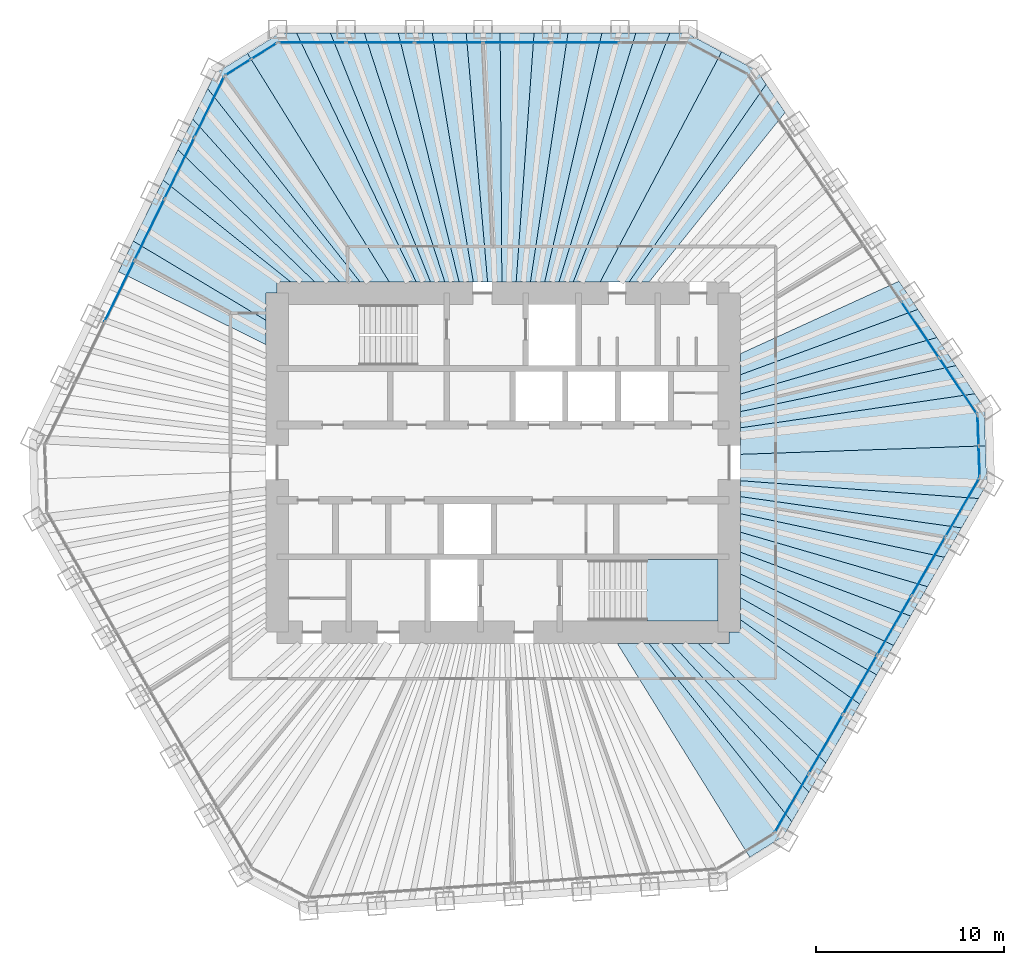
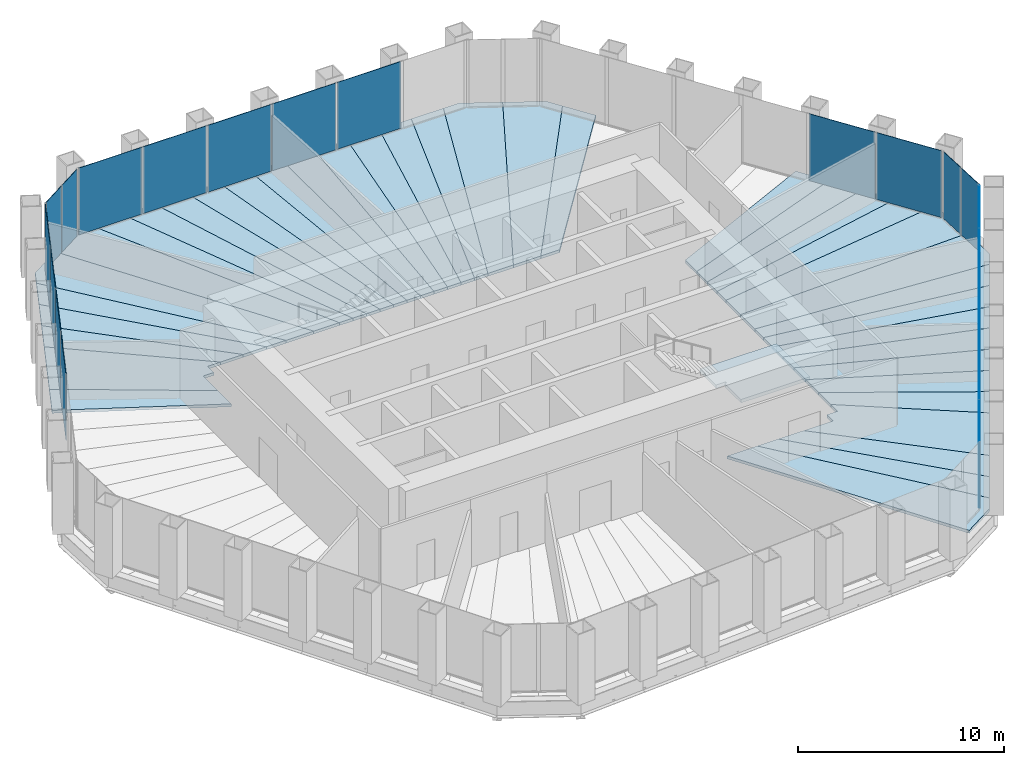
# One storey, part 9 of 13: 39 slabs, 21 plates, 7 elements without a shape of their own.
"""IFC4 building model written with IfcOpenShell, lengths in metres."""

import ifcopenshell
import ifcopenshell.guid

model = None  # the IFC model being written
_history = None  # IfcOwnerHistory: only IFC2X3 demands one
_inside = {}  # id of a spatial element -> (the spatial element, [elements in it])
_under = {}  # id of a project, library or spatial element -> (it, [spatial elements below it])
_declared = {}  # id of a project -> (the project, [libraries it declares])
_typed = {}  # id of a type object -> (the type object, [elements of that type])
_made_of = {}  # id of a material, layer set ... -> (it, [elements and type objects made of it])


def new_model(schema):
    """Start an empty IFC model of exactly this schema.

    Asked for "IFC4X3", IfcOpenShell would pick the latest addendum, in which some entities
    have other attributes; the version numbers below select the first issue.
    IFC2X3 requires an IfcOwnerHistory on every rooted entity: one is made here for all.
    """
    global model, _history
    if schema == "IFC4X3":
        model = ifcopenshell.file(schema_version=(4, 3, 0, 0))
    else:
        model = ifcopenshell.file(schema=schema)
    _inside.clear()
    _under.clear()
    _declared.clear()
    _typed.clear()
    _made_of.clear()
    _history = None
    if model.schema == "IFC2X3":
        org = make("IfcOrganization", Name="unknown")
        user = make(
            "IfcPersonAndOrganization",
            ThePerson=make("IfcPerson", FamilyName="unknown"),
            TheOrganization=org,
        )
        app = make(
            "IfcApplication",
            ApplicationDeveloper=org,
            Version="unknown",
            ApplicationFullName="unknown",
            ApplicationIdentifier="unknown",
        )
        _history = make(
            "IfcOwnerHistory",
            OwningUser=user,
            OwningApplication=app,
            ChangeAction="ADDED",
            CreationDate=0,
        )
    return model


def make(cls, **values):
    """One entity of the class cls with the attributes given. An attribute that is None is left unset."""
    return model.create_entity(
        cls, **{name: value for name, value in values.items() if value is not None}
    )


def rooted(cls, **values):
    """An entity with a GlobalId (a new one), such as an element, a storey or a relation."""
    return make(cls, GlobalId=ifcopenshell.guid.new(), OwnerHistory=_history, **values)


def si_unit(unit_type, name, prefix=None):
    """IfcSIUnit, for example si_unit("LENGTHUNIT", "METRE", prefix="MILLI")."""
    return make("IfcSIUnit", UnitType=unit_type, Prefix=prefix, Name=name)


def assignment(units):
    """IfcUnitAssignment: the units of a project."""
    return None if units is None else make("IfcUnitAssignment", Units=units)


def point(xyz):
    """IfcCartesianPoint."""
    return None if xyz is None else make("IfcCartesianPoint", Coordinates=xyz)


def direction(xyz):
    """IfcDirection."""
    return None if xyz is None else make("IfcDirection", DirectionRatios=xyz)


def frame(location, z_axis=None, x_axis=None):
    """IfcAxis2Placement3D, a coordinate frame: its origin and axes. An axis left out is left unset."""
    return make(
        "IfcAxis2Placement3D",
        Location=point(location),
        Axis=direction(z_axis),
        RefDirection=direction(x_axis),
    )


def frame_2d(location, x_axis=None):
    """IfcAxis2Placement2D, a coordinate frame in the plane: its origin and x axis."""
    return make(
        "IfcAxis2Placement2D", Location=point(location), RefDirection=direction(x_axis)
    )


def origin():
    """The frame at (0, 0, 0) with its axes left unset."""
    return frame((0.0, 0.0, 0.0))


def origin_2d():
    """The frame at (0, 0) in the plane with its x axis left unset."""
    return frame_2d((0.0, 0.0))


def place(relative_to, where):
    """IfcLocalPlacement: puts the frame where relative to a parent placement (None: the world)."""
    return make(
        "IfcLocalPlacement", PlacementRelTo=relative_to, RelativePlacement=where
    )


def context(
    kind, dimensions, precision=None, world=None, true_north=None, identifier=None
):
    """IfcGeometricRepresentationContext, for example the 3D "Model" context."""
    return make(
        "IfcGeometricRepresentationContext",
        ContextIdentifier=identifier,
        ContextType=kind,
        CoordinateSpaceDimension=dimensions,
        Precision=precision,
        WorldCoordinateSystem=world,
        TrueNorth=true_north,
    )


def subcontext(parent, identifier, kind, view, scale=None):
    """IfcGeometricRepresentationSubContext, for example "Body" below "Model"."""
    return make(
        "IfcGeometricRepresentationSubContext",
        ContextIdentifier=identifier,
        ContextType=kind,
        ParentContext=parent,
        TargetScale=scale,
        TargetView=view,
    )


def project(units=None, contexts=None):
    """IfcProject with its units and contexts."""
    return rooted(
        "IfcProject",
        Name="project",
        RepresentationContexts=contexts,
        UnitsInContext=assignment(units),
    )


def spatial(cls, under=None, at=None, **own):
    """A site, building, storey or space (cls), placed at a placement, below another one or the project."""
    s = rooted(cls, ObjectPlacement=at, **own)
    if under is not None:
        _under.setdefault(under.id(), (under, []))[1].append(s)
    return s


def polyline(points):
    """IfcPolyline through the points."""
    return make("IfcPolyline", Points=[point(p) for p in points])


def profile(cls, at=None, kind="AREA", **sizes):
    """A parametric profile (cls). Its sizes go by their IFC names, for example OverallWidth=200.0."""
    return make(cls, ProfileType=kind, Position=at, **sizes)


def rectangle(**sizes):
    """IfcRectangleProfileDef."""
    return profile("IfcRectangleProfileDef", **sizes)


def outline(outer, holes=None, kind="AREA"):
    """IfcArbitraryClosedProfileDef: a profile drawn as a closed curve; with holes, ...WithVoids."""
    if holes is None:
        return make("IfcArbitraryClosedProfileDef", ProfileType=kind, OuterCurve=outer)
    return make(
        "IfcArbitraryProfileDefWithVoids",
        ProfileType=kind,
        OuterCurve=outer,
        InnerCurves=holes,
    )


def extrude(swept, where, along, depth):
    """IfcExtrudedAreaSolid: the profile swept, set in the frame where, extruded along a direction by depth."""
    return make(
        "IfcExtrudedAreaSolid",
        SweptArea=swept,
        Position=where,
        ExtrudedDirection=direction(along),
        Depth=depth,
    )


def shape(context_of_items, identifier, shape_type, items):
    """IfcShapeRepresentation: the items that make up one representation, for example the "Body"."""
    return make(
        "IfcShapeRepresentation",
        ContextOfItems=context_of_items,
        RepresentationIdentifier=identifier,
        RepresentationType=shape_type,
        Items=items,
    )


def material(Name=None, Category=None):
    """IfcMaterial."""
    return make("IfcMaterial", Name=Name, Category=Category)


def layer(
    of_material, thickness, ventilated=None, Name=None, Category=None, Priority=None
):
    """IfcMaterialLayer: one layer of a wall or slab, of a material (None: an air gap)."""
    return make(
        "IfcMaterialLayer",
        Material=of_material,
        LayerThickness=thickness,
        IsVentilated=ventilated,
        Name=Name,
        Category=Category,
        Priority=Priority,
    )


def layer_set(layers, Name=None):
    """IfcMaterialLayerSet."""
    return make("IfcMaterialLayerSet", MaterialLayers=layers, LayerSetName=Name)


def made_of(thing, what):
    """Note that an element or type object is made of a material, layer set ...; save() writes the relation."""
    if what is not None:
        _made_of.setdefault(what.id(), (what, []))[1].append(thing)
    return thing


def type_object(cls, material=None, **own):
    """A type object (cls), such as IfcWallType, which elements share."""
    return made_of(rooted(cls, **own), material)


def element(
    cls,
    number,
    at=None,
    inside=None,
    cuts=None,
    type_object=None,
    material=None,
    context=None,
    identifier="Body",
    shape_type=None,
    held_by="IfcProductDefinitionShape",
    body=None,
    shapes=None,
    **own,
):
    """One element of the class cls, such as IfcWall. Its Tag is "e" and its number.

    at: its placement. inside: the storey or other place that contains it. cuts: it is an
    opening in that element (IfcRelVoidsElement). A single representation is given by context,
    identifier, shape_type and body (its items); several are given by shapes. held_by: the class
    of the entity that holds the representations. save() writes the other relations.
    """
    e = rooted(cls, Tag="e%d" % number, ObjectPlacement=at, **own)
    if body is not None:
        shapes = [shape(context, identifier, shape_type, body)]
    if shapes is not None:
        e.Representation = make(held_by, Representations=shapes)
    if inside is not None:
        _inside.setdefault(inside.id(), (inside, []))[1].append(e)
    if cuts is not None:
        rooted(
            "IfcRelVoidsElement", RelatingBuildingElement=cuts, RelatedOpeningElement=e
        )
    if type_object is not None:
        _typed.setdefault(type_object.id(), (type_object, []))[1].append(e)
    return made_of(e, material)


def aggregate(whole, parts):
    """IfcRelAggregates: a whole, such as a stair, and the parts it consists of."""
    return rooted("IfcRelAggregates", RelatingObject=whole, RelatedObjects=parts)


def save(model, path):
    """Write the relations noted so far, then the file.

    IfcRelAggregates (storeys below a building ...), IfcRelContainedInSpatialStructure (elements
    in a storey), IfcRelDefinesByType, IfcRelAssociatesMaterial and IfcRelDeclares: one each for
    every whole, place, type object, material and project.
    """
    for whole, parts in _under.values():
        aggregate(whole, parts)
    for where, things in _inside.values():
        rooted(
            "IfcRelContainedInSpatialStructure",
            RelatedElements=things,
            RelatingStructure=where,
        )
    for kind, things in _typed.values():
        rooted("IfcRelDefinesByType", RelatedObjects=things, RelatingType=kind)
    for what, things in _made_of.values():
        rooted("IfcRelAssociatesMaterial", RelatedObjects=things, RelatingMaterial=what)
    for by, libraries in _declared.values():
        rooted("IfcRelDeclares", RelatingContext=by, RelatedDefinitions=libraries)
    model.write(path)


model = new_model("IFC4")

# Units and contexts
model_context = context("Model", 3, precision=1e-05, world=origin(), true_north=direction((0.0, 1.0)))
body_context = subcontext(model_context, "Body", "Model", "MODEL_VIEW")
ifc_project = project(units=[si_unit("LENGTHUNIT", "METRE"), si_unit("AREAUNIT", "SQUARE_METRE"), si_unit("VOLUMEUNIT", "CUBIC_METRE"), si_unit("PLANEANGLEUNIT", "RADIAN"), si_unit("MASSUNIT", "GRAM", prefix="KILO")], contexts=[model_context])

# Site, building, storey
site_placement = place(None, origin())
site = spatial("IfcSite", under=ifc_project, at=site_placement, CompositionType="ELEMENT")
building_placement = place(site_placement, origin())
building = spatial("IfcBuilding", under=site, at=building_placement, Name="Qingtian Harvest Tower", CompositionType="ELEMENT")
storey_placement = place(building_placement, frame((0.0, 0.0, 230.800048828125)))
storey = spatial("IfcBuildingStorey", under=building, at=storey_placement, Name="L50", CompositionType="ELEMENT", Elevation=230.800048828125)

# Slabs
ifc_material_1 = material(Name="Concrete fc' 35 MPa", Category="concrete")
ifc_layer_1 = layer(ifc_material_1, 0.169921875)
ifc_layer_set_1 = layer_set([ifc_layer_1], Name="Composite floor slab FS17 170")
slab_type_1 = type_object("IfcSlabType", Name="Composite floor slab FS17 170", PredefinedType="FLOOR", material=ifc_layer_set_1)
slab_1_placement = place(storey_placement, frame((0.0, 0.0, -0.170166015625)))
element("IfcSlab", 1, at=slab_1_placement, inside=storey, type_object=slab_type_1, Name="Floor slab L50 panel D27", PredefinedType="FLOOR", context=body_context, shape_type="SweptSolid", body=[
    extrude(outline(polyline([(6.059326171875, -9.60009765625), (7.740966796875, -9.60009765625), (15.3271484375, -19.0625), (14.886962890625, -19.8251953125), (13.090576171875, -20.94775390625), (6.059326171875, -9.60009765625)])), origin(), (0.0, 0.0, 1.0), 0.170166015625),
])
slab_2_placement = place(storey_placement, frame((0.0, 0.0, -0.170166015625)))
element("IfcSlab", 2, at=slab_2_placement, inside=storey, type_object=slab_type_1, Name="Floor slab L50 panel D28", PredefinedType="FLOOR", context=body_context, shape_type="SweptSolid", body=[
    extrude(outline(polyline([(8.929443359375, -9.60009765625), (16.22802734375, -17.50244140625), (15.3271484375, -19.0625), (7.740966796875, -9.60009765625), (8.929443359375, -9.60009765625)])), origin(), (0.0, 0.0, 1.0), 0.170166015625),
])
slab_3_placement = place(storey_placement, frame((0.0, 0.0, -0.170166015625)))
element("IfcSlab", 3, at=slab_3_placement, inside=storey, type_object=slab_type_1, Name="Floor slab L50 panel D29", PredefinedType="FLOOR", context=body_context, shape_type="SweptSolid", body=[
    extrude(outline(polyline([(10.35205078125, -9.60009765625), (17.128662109375, -15.942138671875), (16.22802734375, -17.50244140625), (8.929443359375, -9.60009765625), (10.35205078125, -9.60009765625)])), origin(), (0.0, 0.0, 1.0), 0.170166015625),
])
slab_4_placement = place(storey_placement, frame((0.0, 0.0, -0.170166015625)))
element("IfcSlab", 4, at=slab_4_placement, inside=storey, type_object=slab_type_1, Name="Floor slab L50 panel D31", PredefinedType="FLOOR", context=body_context, shape_type="SweptSolid", body=[
    extrude(outline(polyline([(12.60009765625, -8.33984375), (18.931884765625, -12.819091796875), (17.128662109375, -15.942138671875), (10.35205078125, -9.60009765625), (12.0, -9.60009765625), (12.0, -9.0), (12.60009765625, -9.0), (12.60009765625, -8.33984375)])), origin(), (0.0, 0.0, 1.0), 0.170166015625),
])
slab_5_placement = place(storey_placement, frame((0.0, 0.0, -0.170166015625)))
element("IfcSlab", 5, at=slab_5_placement, inside=storey, type_object=slab_type_1, Name="Floor slab L50 panel D32", PredefinedType="FLOOR", context=body_context, shape_type="SweptSolid", body=[
    extrude(outline(polyline([(12.60009765625, -7.171142578125), (19.830322265625, -11.262939453125), (18.931884765625, -12.819091796875), (12.60009765625, -8.33984375), (12.60009765625, -7.171142578125)])), origin(), (0.0, 0.0, 1.0), 0.170166015625),
])
slab_6_placement = place(storey_placement, frame((0.0, 0.0, -0.170166015625)))
element("IfcSlab", 6, at=slab_6_placement, inside=storey, type_object=slab_type_1, Name="Floor slab L50 panel D33", PredefinedType="FLOOR", context=body_context, shape_type="SweptSolid", body=[
    extrude(outline(polyline([(12.60009765625, -5.91015625), (20.73095703125, -9.702880859375), (19.830322265625, -11.262939453125), (12.60009765625, -7.171142578125), (12.60009765625, -5.91015625)])), origin(), (0.0, 0.0, 1.0), 0.170166015625),
])
slab_7_placement = place(storey_placement, frame((0.0, 0.0, -0.170166015625)))
element("IfcSlab", 7, at=slab_7_placement, inside=storey, type_object=slab_type_1, Name="Floor slab L50 panel D34", PredefinedType="FLOOR", context=body_context, shape_type="SweptSolid", body=[
    extrude(outline(polyline([(12.60009765625, -4.75439453125), (21.6318359375, -8.142578125), (20.73095703125, -9.702880859375), (12.60009765625, -5.91015625), (12.60009765625, -4.75439453125)])), origin(), (0.0, 0.0, 1.0), 0.170166015625),
])
slab_8_placement = place(storey_placement, frame((0.0, 0.0, -0.170166015625)))
element("IfcSlab", 8, at=slab_8_placement, inside=storey, type_object=slab_type_1, Name="Floor slab L50 panel D35", PredefinedType="FLOOR", context=body_context, shape_type="SweptSolid", body=[
    extrude(outline(polyline([(12.60009765625, -3.691162109375), (22.532470703125, -6.58251953125), (21.6318359375, -8.142578125), (12.60009765625, -4.75439453125), (12.60009765625, -3.691162109375)])), origin(), (0.0, 0.0, 1.0), 0.170166015625),
])
slab_9_placement = place(storey_placement, frame((0.0, 0.0, -0.170166015625)))
element("IfcSlab", 9, at=slab_9_placement, inside=storey, type_object=slab_type_1, Name="Floor slab L50 panel D36", PredefinedType="FLOOR", context=body_context, shape_type="SweptSolid", body=[
    extrude(outline(polyline([(12.60009765625, -2.709716796875), (23.43310546875, -5.022705078125), (22.532470703125, -6.58251953125), (12.60009765625, -3.691162109375), (12.60009765625, -2.709716796875)])), origin(), (0.0, 0.0, 1.0), 0.170166015625),
])
slab_10_placement = place(storey_placement, frame((0.0, 0.0, -0.170166015625)))
element("IfcSlab", 10, at=slab_10_placement, inside=storey, type_object=slab_type_1, Name="Floor slab L50 panel D37", PredefinedType="FLOOR", context=body_context, shape_type="SweptSolid", body=[
    extrude(outline(polyline([(12.60009765625, -1.801025390625), (24.333740234375, -3.462646484375), (23.43310546875, -5.022705078125), (12.60009765625, -2.709716796875), (12.60009765625, -1.801025390625)])), origin(), (0.0, 0.0, 1.0), 0.170166015625),
])
slab_11_placement = place(storey_placement, frame((0.0, 0.0, -0.170166015625)))
element("IfcSlab", 11, at=slab_11_placement, inside=storey, type_object=slab_type_1, Name="Floor slab L50 panel D38", PredefinedType="FLOOR", context=body_context, shape_type="SweptSolid", body=[
    extrude(outline(polyline([(12.60009765625, -0.95703125), (25.234619140625, -1.902587890625), (24.333740234375, -3.462646484375), (12.60009765625, -1.801025390625), (12.60009765625, -0.95703125)])), origin(), (0.0, 0.0, 1.0), 0.170166015625),
])
slab_12_placement = place(storey_placement, frame((0.0, 0.0, -0.170166015625)))
element("IfcSlab", 12, at=slab_12_placement, inside=storey, type_object=slab_type_1, Name="Floor slab L50 panel D39", PredefinedType="FLOOR", context=body_context, shape_type="SweptSolid", body=[
    extrude(outline(polyline([(12.60009765625, -0.95703125), (12.60009765625, 0.442626953125), (25.603759765625, 0.89404296875), (25.6748046875, -1.139892578125), (25.234619140625, -1.902587890625), (12.60009765625, -0.95703125)])), origin(), (0.0, 0.0, 1.0), 0.170166015625),
])
slab_13_placement = place(storey_placement, frame((0.0, 0.0, -0.170166015625)))
element("IfcSlab", 13, at=slab_13_placement, inside=storey, type_object=slab_type_1, Name="Floor slab L50 panel D40", PredefinedType="FLOOR", context=body_context, shape_type="SweptSolid", body=[
    extrude(outline(polyline([(12.60009765625, 0.442626953125), (12.60009765625, 1.848876953125), (25.040283203125, 3.658203125), (25.53271484375, 2.92822265625), (25.603759765625, 0.89404296875), (12.60009765625, 0.442626953125)])), origin(), (0.0, 0.0, 1.0), 0.170166015625),
])
slab_14_placement = place(storey_placement, frame((0.0, 0.0, -0.170166015625)))
element("IfcSlab", 14, at=slab_14_placement, inside=storey, type_object=slab_type_1, Name="Floor slab L50 panel D41", PredefinedType="FLOOR", context=body_context, shape_type="SweptSolid", body=[
    extrude(outline(polyline([(12.60009765625, 2.710205078125), (24.032958984375, 5.151611328125), (25.040283203125, 3.658203125), (12.60009765625, 1.848876953125), (12.60009765625, 2.710205078125)])), origin(), (0.0, 0.0, 1.0), 0.170166015625),
])
slab_15_placement = place(storey_placement, frame((0.0, 0.0, -0.170166015625)))
element("IfcSlab", 15, at=slab_15_placement, inside=storey, type_object=slab_type_1, Name="Floor slab L50 panel D42", PredefinedType="FLOOR", context=body_context, shape_type="SweptSolid", body=[
    extrude(outline(polyline([(12.60009765625, 3.646728515625), (23.025634765625, 6.64501953125), (24.032958984375, 5.151611328125), (12.60009765625, 2.710205078125), (12.60009765625, 3.646728515625)])), origin(), (0.0, 0.0, 1.0), 0.170166015625),
])
slab_16_placement = place(storey_placement, frame((0.0, 0.0, -0.170166015625)))
element("IfcSlab", 16, at=slab_16_placement, inside=storey, type_object=slab_type_1, Name="Floor slab L50 panel D43", PredefinedType="FLOOR", context=body_context, shape_type="SweptSolid", body=[
    extrude(outline(polyline([(12.60009765625, 4.669189453125), (22.018310546875, 8.138427734375), (23.025634765625, 6.64501953125), (12.60009765625, 3.646728515625), (12.60009765625, 4.669189453125)])), origin(), (0.0, 0.0, 1.0), 0.170166015625),
])
slab_17_placement = place(storey_placement, frame((0.0, 0.0, -0.170166015625)))
element("IfcSlab", 17, at=slab_17_placement, inside=storey, type_object=slab_type_1, Name="Floor slab L50 panel D44", PredefinedType="FLOOR", context=body_context, shape_type="SweptSolid", body=[
    extrude(outline(polyline([(12.60009765625, 5.7900390625), (21.010986328125, 9.6318359375), (22.018310546875, 8.138427734375), (12.60009765625, 4.669189453125), (12.60009765625, 5.7900390625)])), origin(), (0.0, 0.0, 1.0), 0.170166015625),
])
slab_18_placement = place(storey_placement, frame((0.0, 0.0, -0.170166015625)))
element("IfcSlab", 18, at=slab_18_placement, inside=storey, type_object=slab_type_1, Name="Floor slab L50 panel D51", PredefinedType="FLOOR", context=body_context, shape_type="SweptSolid", body=[
    extrude(outline(polyline([(6.6904296875, 9.60009765625), (13.960205078125, 20.085205078125), (14.967529296875, 18.591796875), (7.751220703125, 9.60009765625), (6.6904296875, 9.60009765625)])), origin(), (0.0, 0.0, 1.0), 0.170166015625),
])
slab_19_placement = place(storey_placement, frame((0.0, 0.0, -0.170166015625)))
element("IfcSlab", 19, at=slab_19_placement, inside=storey, type_object=slab_type_1, Name="Floor slab L50 panel D52", PredefinedType="FLOOR", context=body_context, shape_type="SweptSolid", body=[
    extrude(outline(polyline([(6.6904296875, 9.60009765625), (5.15185546875, 9.60009765625), (11.59716796875, 21.809814453125), (13.4677734375, 20.8154296875), (13.960205078125, 20.085205078125), (6.6904296875, 9.60009765625)])), origin(), (0.0, 0.0, 1.0), 0.170166015625),
])
slab_20_placement = place(storey_placement, frame((0.0, 0.0, -0.170166015625)))
element("IfcSlab", 20, at=slab_20_placement, inside=storey, type_object=slab_type_1, Name="Floor slab L50 panel D53", PredefinedType="FLOOR", context=body_context, shape_type="SweptSolid", body=[
    extrude(outline(polyline([(3.7236328125, 9.60009765625), (8.84521484375, 22.804931640625), (9.7255859375, 22.804931640625), (11.59716796875, 21.809814453125), (5.15185546875, 9.60009765625), (3.7236328125, 9.60009765625)])), origin(), (0.0, 0.0, 1.0), 0.170166015625),
])
slab_21_placement = place(storey_placement, frame((0.0, 0.0, -0.170166015625)))
element("IfcSlab", 21, at=slab_21_placement, inside=storey, type_object=slab_type_1, Name="Floor slab L50 panel D54", PredefinedType="FLOOR", context=body_context, shape_type="SweptSolid", body=[
    extrude(outline(polyline([(2.96533203125, 9.60009765625), (7.0439453125, 22.804931640625), (8.84521484375, 22.804931640625), (3.7236328125, 9.60009765625), (2.96533203125, 9.60009765625)])), origin(), (0.0, 0.0, 1.0), 0.170166015625),
])
slab_22_placement = place(storey_placement, frame((0.0, 0.0, -0.170166015625)))
element("IfcSlab", 22, at=slab_22_placement, inside=storey, type_object=slab_type_1, Name="Floor slab L50 panel D55", PredefinedType="FLOOR", context=body_context, shape_type="SweptSolid", body=[
    extrude(outline(polyline([(2.206787109375, 9.60009765625), (5.242431640625, 22.804931640625), (7.0439453125, 22.804931640625), (2.96533203125, 9.60009765625), (2.206787109375, 9.60009765625)])), origin(), (0.0, 0.0, 1.0), 0.170166015625),
])
slab_23_placement = place(storey_placement, frame((0.0, 0.0, -0.170166015625)))
element("IfcSlab", 23, at=slab_23_placement, inside=storey, type_object=slab_type_1, Name="Floor slab L50 panel D56", PredefinedType="FLOOR", context=body_context, shape_type="SweptSolid", body=[
    extrude(outline(polyline([(1.448486328125, 9.60009765625), (3.441162109375, 22.804931640625), (5.242431640625, 22.804931640625), (2.206787109375, 9.60009765625), (1.448486328125, 9.60009765625)])), origin(), (0.0, 0.0, 1.0), 0.170166015625),
])
slab_24_placement = place(storey_placement, frame((0.0, 0.0, -0.170166015625)))
element("IfcSlab", 24, at=slab_24_placement, inside=storey, type_object=slab_type_1, Name="Floor slab L50 panel D57", PredefinedType="FLOOR", context=body_context, shape_type="SweptSolid", body=[
    extrude(outline(polyline([(0.690185546875, 9.60009765625), (1.639892578125, 22.804931640625), (3.441162109375, 22.804931640625), (1.448486328125, 9.60009765625), (0.690185546875, 9.60009765625)])), origin(), (0.0, 0.0, 1.0), 0.170166015625),
])
slab_25_placement = place(storey_placement, frame((0.0, 0.0, -0.170166015625)))
element("IfcSlab", 25, at=slab_25_placement, inside=storey, type_object=slab_type_1, Name="Floor slab L50 panel D58", PredefinedType="FLOOR", context=body_context, shape_type="SweptSolid", body=[
    extrude(outline(polyline([(-0.068115234375, 9.60009765625), (-0.16162109375, 22.804931640625), (1.639892578125, 22.804931640625), (0.690185546875, 9.60009765625), (-0.068115234375, 9.60009765625)])), origin(), (0.0, 0.0, 1.0), 0.170166015625),
])
slab_26_placement = place(storey_placement, frame((0.0, 0.0, -0.170166015625)))
element("IfcSlab", 26, at=slab_26_placement, inside=storey, type_object=slab_type_1, Name="Floor slab L50 panel D59", PredefinedType="FLOOR", context=body_context, shape_type="SweptSolid", body=[
    extrude(outline(polyline([(-0.826416015625, 9.60009765625), (-1.962890625, 22.804931640625), (-0.16162109375, 22.804931640625), (-0.068115234375, 9.60009765625), (-0.826416015625, 9.60009765625)])), origin(), (0.0, 0.0, 1.0), 0.170166015625),
])
slab_27_placement = place(storey_placement, frame((0.0, 0.0, -0.170166015625)))
element("IfcSlab", 27, at=slab_27_placement, inside=storey, type_object=slab_type_1, Name="Floor slab L50 panel D60", PredefinedType="FLOOR", context=body_context, shape_type="SweptSolid", body=[
    extrude(outline(polyline([(-1.584716796875, 9.60009765625), (-3.764404296875, 22.804931640625), (-1.962890625, 22.804931640625), (-0.826416015625, 9.60009765625), (-1.584716796875, 9.60009765625)])), origin(), (0.0, 0.0, 1.0), 0.170166015625),
])
slab_28_placement = place(storey_placement, frame((0.0, 0.0, -0.170166015625)))
element("IfcSlab", 28, at=slab_28_placement, inside=storey, type_object=slab_type_1, Name="Floor slab L50 panel D61", PredefinedType="FLOOR", context=body_context, shape_type="SweptSolid", body=[
    extrude(outline(polyline([(-2.343017578125, 9.60009765625), (-5.565673828125, 22.804931640625), (-3.764404296875, 22.804931640625), (-1.584716796875, 9.60009765625), (-2.343017578125, 9.60009765625)])), origin(), (0.0, 0.0, 1.0), 0.170166015625),
])
slab_29_placement = place(storey_placement, frame((0.0, 0.0, -0.170166015625)))
element("IfcSlab", 29, at=slab_29_placement, inside=storey, type_object=slab_type_1, Name="Floor slab L50 panel D62", PredefinedType="FLOOR", context=body_context, shape_type="SweptSolid", body=[
    extrude(outline(polyline([(-3.101318359375, 9.60009765625), (-7.366943359375, 22.804931640625), (-5.565673828125, 22.804931640625), (-2.343017578125, 9.60009765625), (-3.101318359375, 9.60009765625)])), origin(), (0.0, 0.0, 1.0), 0.170166015625),
])
slab_30_placement = place(storey_placement, frame((0.0, 0.0, -0.170166015625)))
element("IfcSlab", 30, at=slab_30_placement, inside=storey, type_object=slab_type_1, Name="Floor slab L50 panel D63", PredefinedType="FLOOR", context=body_context, shape_type="SweptSolid", body=[
    extrude(outline(polyline([(-3.859619140625, 9.60009765625), (-9.16845703125, 22.804931640625), (-7.366943359375, 22.804931640625), (-3.101318359375, 9.60009765625), (-3.859619140625, 9.60009765625)])), origin(), (0.0, 0.0, 1.0), 0.170166015625),
])
slab_31_placement = place(storey_placement, frame((0.0, 0.0, -0.170166015625)))
element("IfcSlab", 31, at=slab_31_placement, inside=storey, type_object=slab_type_1, Name="Floor slab L50 panel D64", PredefinedType="FLOOR", context=body_context, shape_type="SweptSolid", body=[
    extrude(outline(polyline([(-4.617919921875, 9.60009765625), (-10.9697265625, 22.804931640625), (-9.16845703125, 22.804931640625), (-3.859619140625, 9.60009765625), (-4.617919921875, 9.60009765625)])), origin(), (0.0, 0.0, 1.0), 0.170166015625),
])
slab_32_placement = place(storey_placement, frame((0.0, 0.0, -0.170166015625)))
element("IfcSlab", 32, at=slab_32_placement, inside=storey, type_object=slab_type_1, Name="Floor slab L50 panel D65", PredefinedType="FLOOR", context=body_context, shape_type="SweptSolid", body=[
    extrude(outline(polyline([(-4.617919921875, 9.60009765625), (-6.050537109375, 9.60009765625), (-13.57666015625, 21.72607421875), (-11.85009765625, 22.804931640625), (-10.9697265625, 22.804931640625), (-4.617919921875, 9.60009765625)])), origin(), (0.0, 0.0, 1.0), 0.170166015625),
])
slab_33_placement = place(storey_placement, frame((0.0, 0.0, -0.170166015625)))
element("IfcSlab", 33, at=slab_33_placement, inside=storey, type_object=slab_type_1, Name="Floor slab L50 panel D66", PredefinedType="FLOOR", context=body_context, shape_type="SweptSolid", body=[
    extrude(outline(polyline([(-6.050537109375, 9.60009765625), (-7.60498046875, 9.60009765625), (-15.688232421875, 19.8564453125), (-15.30224609375, 20.64794921875), (-13.57666015625, 21.72607421875), (-6.050537109375, 9.60009765625)])), origin(), (0.0, 0.0, 1.0), 0.170166015625),
])
slab_34_placement = place(storey_placement, frame((0.0, 0.0, -0.170166015625)))
element("IfcSlab", 34, at=slab_34_placement, inside=storey, type_object=slab_type_1, Name="Floor slab L50 panel D67", PredefinedType="FLOOR", context=body_context, shape_type="SweptSolid", body=[
    extrude(outline(polyline([(-8.699951171875, 9.60009765625), (-16.47802734375, 18.2373046875), (-15.688232421875, 19.8564453125), (-7.60498046875, 9.60009765625), (-8.699951171875, 9.60009765625)])), origin(), (0.0, 0.0, 1.0), 0.170166015625),
])
slab_35_placement = place(storey_placement, frame((0.0, 0.0, -0.170166015625)))
element("IfcSlab", 35, at=slab_35_placement, inside=storey, type_object=slab_type_1, Name="Floor slab L50 panel D68", PredefinedType="FLOOR", context=body_context, shape_type="SweptSolid", body=[
    extrude(outline(polyline([(-10.009765625, 9.60009765625), (-17.267822265625, 16.6181640625), (-16.47802734375, 18.2373046875), (-8.699951171875, 9.60009765625), (-10.009765625, 9.60009765625)])), origin(), (0.0, 0.0, 1.0), 0.170166015625),
])
slab_36_placement = place(storey_placement, frame((0.0, 0.0, -0.170166015625)))
element("IfcSlab", 36, at=slab_36_placement, inside=storey, type_object=slab_type_1, Name="Floor slab L50 panel D69", PredefinedType="FLOOR", context=body_context, shape_type="SweptSolid", body=[
    extrude(outline(polyline([(-11.28759765625, 9.60009765625), (-18.055419921875, 15.003173828125), (-17.267822265625, 16.6181640625), (-10.009765625, 9.60009765625), (-11.28759765625, 9.60009765625)])), origin(), (0.0, 0.0, 1.0), 0.170166015625),
])
slab_37_placement = place(storey_placement, frame((0.0, 0.0, -0.170166015625)))
element("IfcSlab", 37, at=slab_37_placement, inside=storey, type_object=slab_type_1, Name="Floor slab L50 panel D70", PredefinedType="FLOOR", context=body_context, shape_type="SweptSolid", body=[
    extrude(outline(polyline([(-12.0, 9.0), (-12.60009765625, 9.0), (-12.60009765625, 7.560302734375), (-19.636474609375, 11.761474609375), (-18.055419921875, 15.003173828125), (-11.28759765625, 9.60009765625), (-12.0, 9.60009765625), (-12.0, 9.0)])), origin(), (0.0, 0.0, 1.0), 0.170166015625),
])
slab_38_placement = place(storey_placement, frame((0.0, 0.0, -0.170166015625)))
element("IfcSlab", 38, at=slab_38_placement, inside=storey, type_object=slab_type_1, Name="Floor slab L50 panel D72", PredefinedType="FLOOR", context=body_context, shape_type="SweptSolid", body=[
    extrude(outline(polyline([(-12.60009765625, 6.268310546875), (-20.426025390625, 10.142578125), (-19.636474609375, 11.761474609375), (-12.60009765625, 7.560302734375), (-12.60009765625, 6.268310546875)])), origin(), (0.0, 0.0, 1.0), 0.170166015625),
])

# Curtain wall, plates
ifc_material_2 = material(Name="Bronze-anodised aluminium curtain wall", Category="aluminium")
curtain_wall_type = type_object("IfcCurtainWallType", Name="Curtain wall CW4 office", PredefinedType="USERDEFINED", material=ifc_material_2)
curtain_wall_1_placement = place(storey_placement, origin())
curtain_wall_1 = element("IfcCurtainWall", 39, at=curtain_wall_1_placement, inside=storey, type_object=curtain_wall_type, Name="Curtain wall CW4 L50 N0-5", ObjectType="RECESSED CURTAIN WALL", PredefinedType="USERDEFINED")
ifc_material_3 = material(Name="Bronze-tinted laminated insulating glass", Category="glass")
ifc_layer_2 = layer(ifc_material_3, 0.030029296875)
ifc_layer_set_2 = layer_set([ifc_layer_2], Name="Glazed panel CWP tinted IGU")
plate_type = type_object("IfcPlateType", Name="Glazed panel CWP tinted IGU", PredefinedType="CURTAIN_PANEL", material=ifc_layer_set_2)
plate_1_placement = place(storey_placement, frame((-10.138916015625, 22.300048828125, 0.06494140625), z_axis=(0.0, 0.0, 1.0), x_axis=(1.0, 0.0, 0.0)))
plate_1 = element("IfcPlate", 40, at=plate_1_placement, type_object=plate_type, Name="CW4 panel 1.1", PredefinedType="CURTAIN_PANEL", context=body_context, shape_type="SweptSolid", body=[
    extrude(rectangle(XDim=3.5361328125, YDim=0.030029296875, at=origin_2d()), origin(), (0.0, 0.0, 1.0), 3.965087890625),
])
plate_2_placement = place(storey_placement, frame((-6.521728515625, 22.300048828125, 0.06494140625), z_axis=(0.0, 0.0, 1.0), x_axis=(1.0, 0.0, 0.0)))
plate_2 = element("IfcPlate", 41, at=plate_2_placement, type_object=plate_type, Name="CW4 panel 2.1", PredefinedType="CURTAIN_PANEL", context=body_context, shape_type="SweptSolid", body=[
    extrude(rectangle(XDim=3.568603515625, YDim=0.030029296875, at=origin_2d()), origin(), (0.0, 0.0, 1.0), 3.965087890625),
])
plate_3_placement = place(storey_placement, frame((-2.88818359375, 22.300048828125, 0.06494140625), z_axis=(0.0, 0.0, 1.0), x_axis=(1.0, 0.0, 0.0)))
plate_3 = element("IfcPlate", 42, at=plate_3_placement, type_object=plate_type, Name="CW4 panel 3.1", PredefinedType="CURTAIN_PANEL", context=body_context, shape_type="SweptSolid", body=[
    extrude(rectangle(XDim=3.568603515625, YDim=0.030029296875, at=origin_2d()), origin(), (0.0, 0.0, 1.0), 3.965087890625),
])
plate_4_placement = place(storey_placement, frame((0.745361328125, 22.300048828125, 0.06494140625), z_axis=(0.0, 0.0, 1.0), x_axis=(1.0, 0.0, 0.0)))
plate_4 = element("IfcPlate", 43, at=plate_4_placement, type_object=plate_type, Name="CW4 panel 4.1", PredefinedType="CURTAIN_PANEL", context=body_context, shape_type="SweptSolid", body=[
    extrude(rectangle(XDim=3.568603515625, YDim=0.030029296875, at=origin_2d()), origin(), (0.0, 0.0, 1.0), 3.965087890625),
])
plate_5_placement = place(storey_placement, frame((4.37890625, 22.300048828125, 0.06494140625), z_axis=(0.0, 0.0, 1.0), x_axis=(1.0, 0.0, 0.0)))
plate_5 = element("IfcPlate", 44, at=plate_5_placement, type_object=plate_type, Name="CW4 panel 5.1", PredefinedType="CURTAIN_PANEL", context=body_context, shape_type="SweptSolid", body=[
    extrude(rectangle(XDim=3.568603515625, YDim=0.030029296875, at=origin_2d()), origin(), (0.0, 0.0, 1.0), 3.965087890625),
])
aggregate(curtain_wall_1, [plate_1, plate_2, plate_3, plate_4, plate_5])

curtain_wall_2_placement = place(storey_placement, origin())
curtain_wall_2 = element("IfcCurtainWall", 45, at=curtain_wall_2_placement, inside=storey, type_object=curtain_wall_type, Name="Curtain wall CW4 L50 NE0-5", ObjectType="RECESSED CURTAIN WALL", PredefinedType="USERDEFINED")
plate_6_placement = place(storey_placement, frame((22.134521484375, 7.063232421875, 0.06494140625), z_axis=(0.0, 0.0, 1.0), x_axis=(0.559192903471, -0.829037572555, 0.0)))
plate_6 = element("IfcPlate", 46, at=plate_6_placement, type_object=plate_type, Name="CW4 panel 5.1", PredefinedType="CURTAIN_PANEL", context=body_context, shape_type="SweptSolid", body=[
    extrude(rectangle(XDim=3.568603515625, YDim=0.030029296875, at=origin_2d()), origin(), (0.0, 0.0, 1.0), 3.965087890625),
])
plate_7_placement = place(storey_placement, frame((24.1572265625, 4.064453125, 0.06494140625), z_axis=(0.0, 0.0, 1.0), x_axis=(0.559192903471, -0.829037572555, 0.0)))
plate_7 = element("IfcPlate", 47, at=plate_7_placement, type_object=plate_type, Name="CW4 panel 6.1", PredefinedType="CURTAIN_PANEL", context=body_context, shape_type="SweptSolid", body=[
    extrude(rectangle(XDim=3.5361328125, YDim=0.030029296875, at=origin_2d()), origin(), (0.0, 0.0, 1.0), 3.965087890625),
])
aggregate(curtain_wall_2, [plate_6, plate_7])

curtain_wall_3_placement = place(storey_placement, origin())
curtain_wall_3 = element("IfcCurtainWall", 48, at=curtain_wall_3_placement, inside=storey, type_object=curtain_wall_type, Name="Curtain wall CW4 L50 NEC", ObjectType="RECESSED CURTAIN WALL", PredefinedType="USERDEFINED")
plate_8_placement = place(storey_placement, frame((25.2119140625, 1.69677734375, 0.06494140625), z_axis=(0.0, 0.0, 1.0), x_axis=(0.034899496703, -0.999390827019, 0.0)))
plate_8 = element("IfcPlate", 49, at=plate_8_placement, type_object=plate_type, Name="CW4 panel 1.1", PredefinedType="CURTAIN_PANEL", context=body_context, shape_type="SweptSolid", body=[
    extrude(rectangle(XDim=1.56689453125, YDim=0.030029296875, at=origin_2d()), origin(), (0.0, 0.0, 1.0), 3.965087890625),
])
plate_9_placement = place(storey_placement, frame((25.268798828125, 0.06591796875, 0.06494140625), z_axis=(0.0, 0.0, 1.0), x_axis=(0.034899496703, -0.999390827019, 0.0)))
plate_9 = element("IfcPlate", 50, at=plate_9_placement, type_object=plate_type, Name="CW4 panel 2.1", PredefinedType="CURTAIN_PANEL", context=body_context, shape_type="SweptSolid", body=[
    extrude(rectangle(XDim=1.56689453125, YDim=0.030029296875, at=origin_2d()), origin(), (0.0, 0.0, 1.0), 3.965087890625),
])
aggregate(curtain_wall_3, [plate_8, plate_9])

curtain_wall_4_placement = place(storey_placement, origin())
curtain_wall_4 = element("IfcCurtainWall", 51, at=curtain_wall_4_placement, inside=storey, type_object=curtain_wall_type, Name="Curtain wall CW4 L50 SE0-5", ObjectType="RECESSED CURTAIN WALL", PredefinedType="USERDEFINED")
plate_10_placement = place(storey_placement, frame((24.3818359375, -2.369384765625, 0.06494140625), z_axis=(0.0, 0.0, 1.0), x_axis=(-0.5, -0.866025403784, 0.0)))
plate_10 = element("IfcPlate", 52, at=plate_10_placement, type_object=plate_type, Name="CW4 panel 1.1", PredefinedType="CURTAIN_PANEL", context=body_context, shape_type="SweptSolid", body=[
    extrude(rectangle(XDim=3.5361328125, YDim=0.030029296875, at=origin_2d()), origin(), (0.0, 0.0, 1.0), 3.965087890625),
])
plate_11_placement = place(storey_placement, frame((22.5732421875, -5.501953125, 0.06494140625), z_axis=(0.0, 0.0, 1.0), x_axis=(-0.5, -0.866025403784, 0.0)))
plate_11 = element("IfcPlate", 53, at=plate_11_placement, type_object=plate_type, Name="CW4 panel 2.1", PredefinedType="CURTAIN_PANEL", context=body_context, shape_type="SweptSolid", body=[
    extrude(rectangle(XDim=3.568603515625, YDim=0.030029296875, at=origin_2d()), origin(), (0.0, 0.0, 1.0), 3.965087890625),
])
plate_12_placement = place(storey_placement, frame((20.75634765625, -8.64892578125, 0.06494140625), z_axis=(0.0, 0.0, 1.0), x_axis=(-0.5, -0.866025403784, 0.0)))
plate_12 = element("IfcPlate", 54, at=plate_12_placement, type_object=plate_type, Name="CW4 panel 3.1", PredefinedType="CURTAIN_PANEL", context=body_context, shape_type="SweptSolid", body=[
    extrude(rectangle(XDim=3.568603515625, YDim=0.030029296875, at=origin_2d()), origin(), (0.0, 0.0, 1.0), 3.965087890625),
])
plate_13_placement = place(storey_placement, frame((18.939697265625, -11.795654296875, 0.06494140625), z_axis=(0.0, 0.0, 1.0), x_axis=(-0.5, -0.866025403784, 0.0)))
plate_13 = element("IfcPlate", 55, at=plate_13_placement, type_object=plate_type, Name="CW4 panel 4.1", PredefinedType="CURTAIN_PANEL", context=body_context, shape_type="SweptSolid", body=[
    extrude(rectangle(XDim=3.568603515625, YDim=0.030029296875, at=origin_2d()), origin(), (0.0, 0.0, 1.0), 3.965087890625),
])
plate_14_placement = place(storey_placement, frame((17.122802734375, -14.9423828125, 0.06494140625), z_axis=(0.0, 0.0, 1.0), x_axis=(-0.5, -0.866025403784, 0.0)))
plate_14 = element("IfcPlate", 56, at=plate_14_placement, type_object=plate_type, Name="CW4 panel 5.1", PredefinedType="CURTAIN_PANEL", context=body_context, shape_type="SweptSolid", body=[
    extrude(rectangle(XDim=3.568603515625, YDim=0.030029296875, at=origin_2d()), origin(), (0.0, 0.0, 1.0), 3.965087890625),
])
plate_15_placement = place(storey_placement, frame((15.314208984375, -18.074951171875, 0.06494140625), z_axis=(0.0, 0.0, 1.0), x_axis=(-0.5, -0.866025403784, 0.0)))
plate_15 = element("IfcPlate", 57, at=plate_15_placement, type_object=plate_type, Name="CW4 panel 6.1", PredefinedType="CURTAIN_PANEL", context=body_context, shape_type="SweptSolid", body=[
    extrude(rectangle(XDim=3.5361328125, YDim=0.030029296875, at=origin_2d()), origin(), (0.0, 0.0, 1.0), 3.965087890625),
])
aggregate(curtain_wall_4, [plate_10, plate_11, plate_12, plate_13, plate_14, plate_15])

curtain_wall_5_placement = place(storey_placement, origin())
curtain_wall_5 = element("IfcCurtainWall", 58, at=curtain_wall_5_placement, inside=storey, type_object=curtain_wall_type, Name="Curtain wall CW4 L50 NW0-5", ObjectType="RECESSED CURTAIN WALL", PredefinedType="USERDEFINED")
plate_16_placement = place(storey_placement, frame((-20.369873046875, 9.105712890625, 0.06494140625), z_axis=(0.0, 0.0, 1.0), x_axis=(0.438371146789, 0.898794046299, 0.0)))
plate_16 = element("IfcPlate", 59, at=plate_16_placement, type_object=plate_type, Name="CW4 panel 3.1", PredefinedType="CURTAIN_PANEL", context=body_context, shape_type="SweptSolid", body=[
    extrude(rectangle(XDim=3.568603515625, YDim=0.030029296875, at=origin_2d()), origin(), (0.0, 0.0, 1.0), 3.965087890625),
])
plate_17_placement = place(storey_placement, frame((-18.777099609375, 12.37158203125, 0.06494140625), z_axis=(0.0, 0.0, 1.0), x_axis=(0.438371146789, 0.898794046299, 0.0)))
plate_17 = element("IfcPlate", 60, at=plate_17_placement, type_object=plate_type, Name="CW4 panel 4.1", PredefinedType="CURTAIN_PANEL", context=body_context, shape_type="SweptSolid", body=[
    extrude(rectangle(XDim=3.568603515625, YDim=0.030029296875, at=origin_2d()), origin(), (0.0, 0.0, 1.0), 3.965087890625),
])
plate_18_placement = place(storey_placement, frame((-17.18408203125, 15.63720703125, 0.06494140625), z_axis=(0.0, 0.0, 1.0), x_axis=(0.438371146789, 0.898794046299, 0.0)))
plate_18 = element("IfcPlate", 61, at=plate_18_placement, type_object=plate_type, Name="CW4 panel 5.1", PredefinedType="CURTAIN_PANEL", context=body_context, shape_type="SweptSolid", body=[
    extrude(rectangle(XDim=3.568603515625, YDim=0.030029296875, at=origin_2d()), origin(), (0.0, 0.0, 1.0), 3.965087890625),
])
plate_19_placement = place(storey_placement, frame((-15.598388671875, 18.888427734375, 0.06494140625), z_axis=(0.0, 0.0, 1.0), x_axis=(0.438371146789, 0.898794046299, 0.0)))
plate_19 = element("IfcPlate", 62, at=plate_19_placement, type_object=plate_type, Name="CW4 panel 6.1", PredefinedType="CURTAIN_PANEL", context=body_context, shape_type="SweptSolid", body=[
    extrude(rectangle(XDim=3.5361328125, YDim=0.030029296875, at=origin_2d()), origin(), (0.0, 0.0, 1.0), 3.965087890625),
])
aggregate(curtain_wall_5, [plate_16, plate_17, plate_18, plate_19])

curtain_wall_6_placement = place(storey_placement, origin())
curtain_wall_6 = element("IfcCurtainWall", 63, at=curtain_wall_6_placement, inside=storey, type_object=curtain_wall_type, Name="Curtain wall CW4 L50 NWC", ObjectType="RECESSED CURTAIN WALL", PredefinedType="USERDEFINED")
plate_20_placement = place(storey_placement, frame((-14.075439453125, 20.985595703125, 0.06494140625), z_axis=(0.0, 0.0, 1.0), x_axis=(0.848048096156, 0.529919264233, 0.0)))
plate_20 = element("IfcPlate", 64, at=plate_20_placement, type_object=plate_type, Name="CW4 panel 1.1", PredefinedType="CURTAIN_PANEL", context=body_context, shape_type="SweptSolid", body=[
    extrude(rectangle(XDim=1.56689453125, YDim=0.030029296875, at=origin_2d()), origin(), (0.0, 0.0, 1.0), 3.965087890625),
])
plate_21_placement = place(storey_placement, frame((-12.69140625, 21.850341796875, 0.06494140625), z_axis=(0.0, 0.0, 1.0), x_axis=(0.848048096156, 0.529919264233, 0.0)))
plate_21 = element("IfcPlate", 65, at=plate_21_placement, type_object=plate_type, Name="CW4 panel 2.1", PredefinedType="CURTAIN_PANEL", context=body_context, shape_type="SweptSolid", body=[
    extrude(rectangle(XDim=1.56689453125, YDim=0.030029296875, at=origin_2d()), origin(), (0.0, 0.0, 1.0), 3.965087890625),
])
aggregate(curtain_wall_6, [plate_20, plate_21])

# Stair, slab
ifc_material_4 = material(Name="Concrete fc' 35 MPa", Category="concrete")
stair_type = type_object("IfcStairType", Name="Special stair ST4 4200", PredefinedType="HALF_TURN_STAIR", material=ifc_material_4)
stair_placement = place(storey_placement, origin())
stair = element("IfcStair", 66, at=stair_placement, inside=storey, type_object=stair_type, Name="Special stair S2 L50", PredefinedType="HALF_TURN_STAIR")
ifc_material_5 = material(Name="Concrete fc' 35 MPa", Category="concrete")
ifc_layer_3 = layer(ifc_material_5, 0.199951171875)
ifc_layer_set_3 = layer_set([ifc_layer_3], Name="Stair landing SL2 200")
slab_type_2 = type_object("IfcSlabType", Name="Stair landing SL2 200", PredefinedType="LANDING", material=ifc_layer_set_3)
slab_39_placement = place(storey_placement, frame((0.0, 0.0, 1.89990234375)))
slab_39 = element("IfcSlab", 67, at=slab_39_placement, type_object=slab_type_2, Name="S2 landing 2", PredefinedType="LANDING", context=body_context, shape_type="SweptSolid", body=[
    extrude(outline(polyline([(7.530029296875, -8.39990234375), (7.530029296875, -6.824951171875), (7.6298828125, -6.824951171875), (7.6298828125, -6.72509765625), (7.094970703125, -6.72509765625), (7.094970703125, -5.14990234375), (11.39990234375, -5.14990234375), (11.39990234375, -8.39990234375), (7.530029296875, -8.39990234375)])), origin(), (0.0, 0.0, 1.0), 0.199951171875),
])
aggregate(stair, [slab_39])

save(model, "model.ifc")
